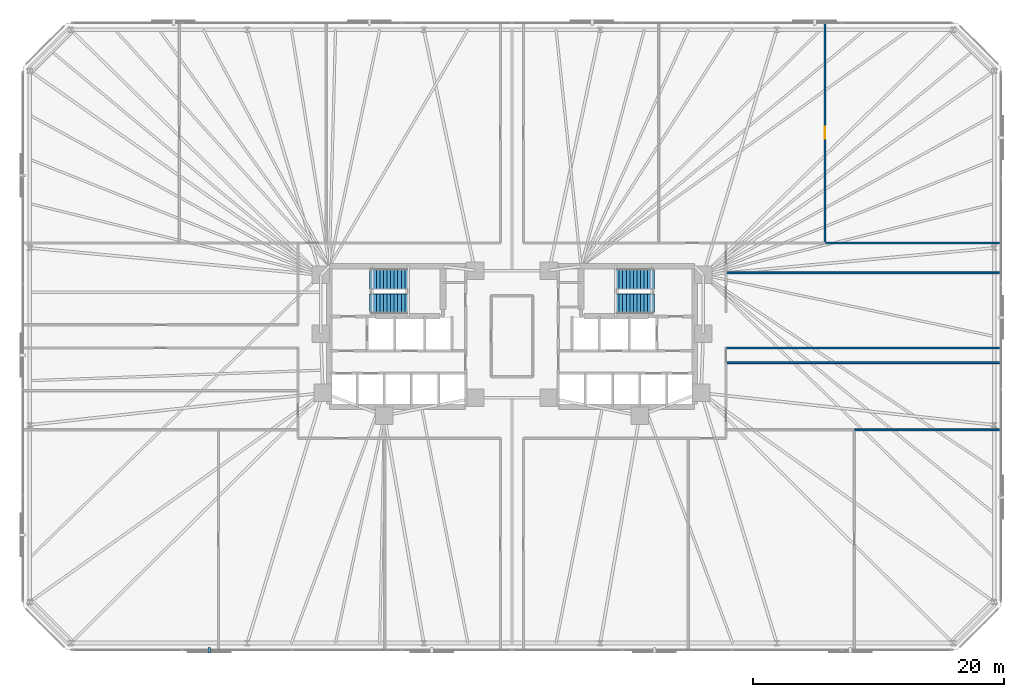
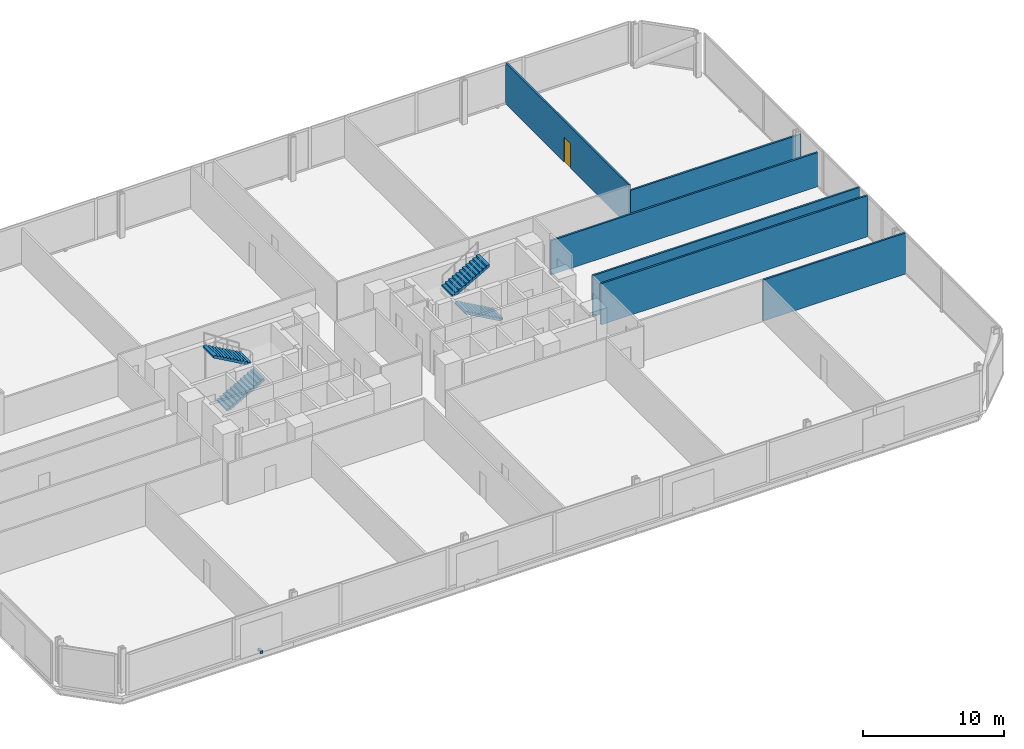
# One storey, part 15 of 17: 6 walls, 4 stair flights, 1 discrete accessory, 1 door, 1 opening, 2 elements without a shape of their own.
"""IFC4 building model written with IfcOpenShell, lengths in metres."""

from ifc_helpers import new_model, si_unit, direction, frame, frame_2d, origin, origin_2d, place, context, subcontext, project, spatial, polyline, rectangle, outline, extrude, material, layer, layer_set, type_object, element, fill, aggregate, save


model = new_model("IFC4")

# Units and contexts
model_context = context("Model", 3, precision=1e-05, world=origin(), true_north=direction((0.0, 1.0)))
body_context = subcontext(model_context, "Body", "Model", "MODEL_VIEW")
ifc_project = project(units=[si_unit("LENGTHUNIT", "METRE"), si_unit("AREAUNIT", "SQUARE_METRE"), si_unit("VOLUMEUNIT", "CUBIC_METRE"), si_unit("PLANEANGLEUNIT", "RADIAN"), si_unit("MASSUNIT", "GRAM", prefix="KILO")], contexts=[model_context])

# Site, building, storey
site_placement = place(None, origin())
site = spatial("IfcSite", under=ifc_project, at=site_placement, CompositionType="ELEMENT")
building_placement = place(site_placement, origin())
building = spatial("IfcBuilding", under=site, at=building_placement, Name="Menara Jurai Vektor", CompositionType="ELEMENT")
storey_placement = place(building_placement, frame((0.0, 0.0, 71.199951171875)))
storey = spatial("IfcBuildingStorey", under=building, at=storey_placement, Name="L17", CompositionType="ELEMENT", Elevation=71.199951171875)

# Wall
ifc_material_1 = material(Name="Gypsum Fireboard Partition", Category="gypsum")
ifc_layer_1 = layer(ifc_material_1, 0.14990234375)
ifc_layer_set_1 = layer_set([ifc_layer_1], Name="Gypsum Fireboard Partition")
wall_type_1 = type_object("IfcWallType", Name="INT-WALL-CORR-150", PredefinedType="PARTITIONING", material=ifc_layer_set_1)
wall_1_placement = place(storey_placement, frame((17.05908203125, -0.919921875, 0.0), z_axis=(0.0, 0.0, 1.0), x_axis=(1.0, 0.0, 0.0)))
element("IfcWall", 1, at=wall_1_placement, inside=storey, type_object=wall_type_1, Name="Interior Wall IW-150 L17", PredefinedType="PARTITIONING", context=body_context, shape_type="SweptSolid", body=[
    extrude(rectangle(XDim=21.94091796875, YDim=0.14990234375, at=frame_2d((10.970458984375, 0.0))), origin(), (0.0, 0.0, 1.0), 3.574951171875),
])

# Wall, opening, door
wall_2_placement = place(storey_placement, frame((24.9599609375, 7.449951171875, 0.0), z_axis=(0.0, 0.0, 1.0), x_axis=(0.0, 1.0, 0.0)))
wall_2 = element("IfcWall", 2, at=wall_2_placement, inside=storey, type_object=wall_type_1, Name="Interior Wall IW-150 L17", PredefinedType="PARTITIONING", context=body_context, shape_type="SweptSolid", body=[
    extrude(rectangle(XDim=17.550048828125, YDim=0.14990234375, at=frame_2d((8.77490234375, 0.0))), origin(), (0.0, 0.0, 1.0), 3.574951171875),
])
opening_placement = place(wall_2_placement, frame((8.300048828125, 0.0, 0.0)))
opening = element("IfcOpeningElement", 3, at=opening_placement, cuts=wall_2, Name="Opening D17-21", PredefinedType="OPENING", context=body_context, shape_type="SweptSolid", body=[
    extrude(rectangle(XDim=0.949951171875, YDim=2.14990234375, at=frame_2d((0.47509765625, 1.074951171875))), frame((0.0, 0.0849609375, 0.0), z_axis=(0.0, -1.0, 0.0), x_axis=(1.0, 0.0, 0.0)), (0.0, 0.0, 1.0), 0.169921875),
])
ifc_material_2 = material(Name="Solid Core Timber Fire Door", Category="wood")
door_type = type_object("IfcDoorType", Name="DR-ENTRY-950", OperationType="NOTDEFINED", PredefinedType="DOOR", material=ifc_material_2)
door_placement = place(opening_placement, origin())
door = element("IfcDoor", 4, at=door_placement, inside=storey, type_object=door_type, Name="Interior Door D17-21", OperationType="SINGLE_SWING_RIGHT", OverallHeight=2.14990234375, OverallWidth=0.949951171875, PredefinedType="DOOR", context=body_context, shape_type="SweptSolid", body=[
    extrude(rectangle(XDim=0.949951171875, YDim=2.14990234375, at=frame_2d((0.47509765625, 1.074951171875))), frame((0.0, 0.02490234375, 0.0), z_axis=(0.0, -1.0, 0.0), x_axis=(1.0, 0.0, 0.0)), (0.0, 0.0, 1.0), 0.050048828125),
])
fill(opening, door)

# Walls
wall_3_placement = place(storey_placement, frame((27.300048828125, -7.449951171875, 0.0), z_axis=(0.0, 0.0, 1.0), x_axis=(1.0, 0.0, 0.0)))
element("IfcWall", 5, at=wall_3_placement, inside=storey, type_object=wall_type_1, Name="Interior Wall IW-150 L17", PredefinedType="PARTITIONING", context=body_context, shape_type="SweptSolid", body=[
    extrude(rectangle(XDim=11.699951171875, YDim=0.14990234375, at=frame_2d((5.85009765625, 0.0))), origin(), (0.0, 0.0, 1.0), 3.574951171875),
])
wall_4_placement = place(storey_placement, frame((17.05908203125, -2.0859375, 0.0), z_axis=(0.0, 0.0, 1.0), x_axis=(1.0, 0.0, 0.0)))
element("IfcWall", 6, at=wall_4_placement, inside=storey, type_object=wall_type_1, Name="Interior Wall IW-150 L17", PredefinedType="PARTITIONING", context=body_context, shape_type="SweptSolid", body=[
    extrude(rectangle(XDim=21.94091796875, YDim=0.14990234375, at=frame_2d((10.970458984375, 0.0))), origin(), (0.0, 0.0, 1.0), 3.574951171875),
])
ifc_layer_2 = layer(ifc_material_1, 0.14990234375)
ifc_layer_set_2 = layer_set([ifc_layer_2], Name="Gypsum Fireboard Partition")
wall_type_2 = type_object("IfcWallType", Name="INT-WALL-CORR-150-H1", PredefinedType="PARTITIONING", material=ifc_layer_set_2)
wall_5_placement = place(storey_placement, frame((24.9599609375, 7.449951171875, 0.0), z_axis=(0.0, 0.0, 1.0), x_axis=(1.0, 0.0, 0.0)))
element("IfcWall", 7, at=wall_5_placement, inside=storey, type_object=wall_type_2, Name="Interior Wall IW-150 L17", PredefinedType="PARTITIONING", context=body_context, shape_type="SweptSolid", body=[
    extrude(rectangle(XDim=14.0400390625, YDim=0.14990234375, at=frame_2d((7.02001953125, 0.0))), origin(), (0.0, 0.0, 1.0), 3.125),
])
ifc_layer_3 = layer(ifc_material_1, 0.14990234375)
ifc_layer_set_3 = layer_set([ifc_layer_3], Name="Gypsum Fireboard Partition")
wall_type_3 = type_object("IfcWallType", Name="INT-WALL-CORR-150-H2", PredefinedType="PARTITIONING", material=ifc_layer_set_3)
wall_6_placement = place(storey_placement, frame((17.05908203125, 5.06591796875, 0.0), z_axis=(0.0, 0.0, 1.0), x_axis=(1.0, 0.0, 0.0)))
element("IfcWall", 8, at=wall_6_placement, inside=storey, type_object=wall_type_3, Name="Interior Wall IW-150 L17", PredefinedType="PARTITIONING", context=body_context, shape_type="SweptSolid", body=[
    extrude(rectangle(XDim=21.94091796875, YDim=0.14990234375, at=frame_2d((10.970458984375, 0.0))), origin(), (0.0, 0.0, 1.0), 2.97509765625),
])

# Stair, stair flights
ifc_material_3 = material(Name="Concrete C40/50", Category="concrete")
stair_type = type_object("IfcStairType", Name="STAIR-DOGLEG-1500", PredefinedType="HALF_TURN_STAIR", material=ifc_material_3)
stair_1_placement = place(storey_placement, origin())
stair_1 = element("IfcStair", 9, at=stair_1_placement, inside=storey, type_object=stair_type, Name="Protected Exit Stair ST1 L17", PredefinedType="HALF_TURN_STAIR")
stair_flight_type = type_object("IfcStairFlightType", Name="STAIR-FLIGHT-1500", PredefinedType="STRAIGHT", material=ifc_material_3)
stair_flight_1_placement = place(storey_placement, frame((-11.35009765625, 2.64990234375, 0.0), z_axis=(0.0, 0.0, 1.0), x_axis=(1.0, 0.0, 0.0)))
stair_flight_1 = element("IfcStairFlight", 10, at=stair_flight_1_placement, type_object=stair_flight_type, Name="ST1 flight 1", NumberOfRisers=12, NumberOfTreads=11, PredefinedType="STRAIGHT", RiserHeight=0.158333, TreadLength=0.28, context=body_context, shape_type="SweptSolid", body=[
    extrude(outline(polyline([(0.0, 0.0), (0.0, 0.158447265625), (0.280029296875, 0.158447265625), (0.280029296875, 0.316650390625), (0.56005859375, 0.316650390625), (0.56005859375, 0.47509765625), (0.840087890625, 0.47509765625), (0.840087890625, 0.63330078125), (1.1201171875, 0.63330078125), (1.1201171875, 0.791748046875), (1.39990234375, 0.791748046875), (1.39990234375, 0.949951171875), (1.679931640625, 0.949951171875), (1.679931640625, 1.1083984375), (1.9599609375, 1.1083984375), (1.9599609375, 1.2666015625), (2.239990234375, 1.2666015625), (2.239990234375, 1.425048828125), (2.52001953125, 1.425048828125), (2.52001953125, 1.583251953125), (2.800048828125, 1.583251953125), (2.800048828125, 1.74169921875), (3.080078125, 1.74169921875), (3.080078125, 1.89990234375), (3.080078125, 1.557861328125), (0.324951171875, 0.0), (0.0, 0.0)])), frame((0.0, 0.75, 0.0), z_axis=(0.0, -1.0, 0.0), x_axis=(1.0, 0.0, 0.0)), (0.0, 0.0, 1.0), 1.5),
])
stair_flight_2_placement = place(storey_placement, frame((-8.27001953125, 4.550048828125, 1.900146484375), z_axis=(0.0, 0.0, 1.0), x_axis=(-1.0, 0.0, 0.0)))
stair_flight_2 = element("IfcStairFlight", 11, at=stair_flight_2_placement, type_object=stair_flight_type, Name="ST1 flight 2", NumberOfRisers=12, NumberOfTreads=11, PredefinedType="STRAIGHT", RiserHeight=0.158333, TreadLength=0.28, context=body_context, shape_type="SweptSolid", body=[
    extrude(outline(polyline([(0.0, 0.0), (0.0, 0.158447265625), (0.280029296875, 0.158447265625), (0.280029296875, 0.316650390625), (0.56005859375, 0.316650390625), (0.56005859375, 0.47509765625), (0.840087890625, 0.47509765625), (0.840087890625, 0.63330078125), (1.1201171875, 0.63330078125), (1.1201171875, 0.791748046875), (1.39990234375, 0.791748046875), (1.39990234375, 0.949951171875), (1.679931640625, 0.949951171875), (1.679931640625, 1.1083984375), (1.9599609375, 1.1083984375), (1.9599609375, 1.2666015625), (2.239990234375, 1.2666015625), (2.239990234375, 1.425048828125), (2.52001953125, 1.425048828125), (2.52001953125, 1.583251953125), (2.800048828125, 1.583251953125), (2.800048828125, 1.74169921875), (3.080078125, 1.74169921875), (3.080078125, 1.89990234375), (3.080078125, 1.557861328125), (0.324951171875, 0.0), (0.0, 0.0)])), frame((0.0, 0.75, 0.0), z_axis=(0.0, -1.0, 0.0), x_axis=(1.0, 0.0, 0.0)), (0.0, 0.0, 1.0), 1.5),
])
aggregate(stair_1, [stair_flight_1, stair_flight_2])

stair_2_placement = place(storey_placement, origin())
stair_2 = element("IfcStair", 12, at=stair_2_placement, inside=storey, type_object=stair_type, Name="Protected Exit Stair ST2 L17", PredefinedType="HALF_TURN_STAIR")
stair_flight_3_placement = place(storey_placement, frame((11.35009765625, 2.64990234375, 0.0), z_axis=(0.0, 0.0, 1.0), x_axis=(-1.0, 0.0, 0.0)))
stair_flight_3 = element("IfcStairFlight", 13, at=stair_flight_3_placement, type_object=stair_flight_type, Name="ST2 flight 1", NumberOfRisers=12, NumberOfTreads=11, PredefinedType="STRAIGHT", RiserHeight=0.158333, TreadLength=0.28, context=body_context, shape_type="SweptSolid", body=[
    extrude(outline(polyline([(0.0, 0.0), (0.0, 0.158447265625), (0.280029296875, 0.158447265625), (0.280029296875, 0.316650390625), (0.56005859375, 0.316650390625), (0.56005859375, 0.47509765625), (0.840087890625, 0.47509765625), (0.840087890625, 0.63330078125), (1.1201171875, 0.63330078125), (1.1201171875, 0.791748046875), (1.39990234375, 0.791748046875), (1.39990234375, 0.949951171875), (1.679931640625, 0.949951171875), (1.679931640625, 1.1083984375), (1.9599609375, 1.1083984375), (1.9599609375, 1.2666015625), (2.239990234375, 1.2666015625), (2.239990234375, 1.425048828125), (2.52001953125, 1.425048828125), (2.52001953125, 1.583251953125), (2.800048828125, 1.583251953125), (2.800048828125, 1.74169921875), (3.080078125, 1.74169921875), (3.080078125, 1.89990234375), (3.080078125, 1.557861328125), (0.324951171875, 0.0), (0.0, 0.0)])), frame((0.0, 0.75, 0.0), z_axis=(0.0, -1.0, 0.0), x_axis=(1.0, 0.0, 0.0)), (0.0, 0.0, 1.0), 1.5),
])
stair_flight_4_placement = place(storey_placement, frame((8.27001953125, 4.550048828125, 1.900146484375), z_axis=(0.0, 0.0, 1.0), x_axis=(1.0, 0.0, 0.0)))
stair_flight_4 = element("IfcStairFlight", 14, at=stair_flight_4_placement, type_object=stair_flight_type, Name="ST2 flight 2", NumberOfRisers=12, NumberOfTreads=11, PredefinedType="STRAIGHT", RiserHeight=0.158333, TreadLength=0.28, context=body_context, shape_type="SweptSolid", body=[
    extrude(outline(polyline([(0.0, 0.0), (0.0, 0.158447265625), (0.280029296875, 0.158447265625), (0.280029296875, 0.316650390625), (0.56005859375, 0.316650390625), (0.56005859375, 0.47509765625), (0.840087890625, 0.47509765625), (0.840087890625, 0.63330078125), (1.1201171875, 0.63330078125), (1.1201171875, 0.791748046875), (1.39990234375, 0.791748046875), (1.39990234375, 0.949951171875), (1.679931640625, 0.949951171875), (1.679931640625, 1.1083984375), (1.9599609375, 1.1083984375), (1.9599609375, 1.2666015625), (2.239990234375, 1.2666015625), (2.239990234375, 1.425048828125), (2.52001953125, 1.425048828125), (2.52001953125, 1.583251953125), (2.800048828125, 1.583251953125), (2.800048828125, 1.74169921875), (3.080078125, 1.74169921875), (3.080078125, 1.89990234375), (3.080078125, 1.557861328125), (0.324951171875, 0.0), (0.0, 0.0)])), frame((0.0, 0.75, 0.0), z_axis=(0.0, -1.0, 0.0), x_axis=(1.0, 0.0, 0.0)), (0.0, 0.0, 1.0), 1.5),
])
aggregate(stair_2, [stair_flight_3, stair_flight_4])

# Discrete accessory
ifc_material_4 = material(Name="Steel S355", Category="steel")
discrete_accessory_type = type_object("IfcDiscreteAccessoryType", Name="ENV-ACC-BRACKET", PredefinedType="BRACKET", material=ifc_material_4)
discrete_accessory_placement = place(storey_placement, frame((-24.139892578125, -25.010009765625, -0.1298828125), z_axis=(0.0, 0.0, 1.0), x_axis=(1.0, 0.0, 0.0)))
element("IfcDiscreteAccessory", 15, at=discrete_accessory_placement, inside=storey, type_object=discrete_accessory_type, Name="Solar Screen Stand-Off Bracket L17-S01", PredefinedType="BRACKET", context=body_context, shape_type="SweptSolid", body=[
    extrude(rectangle(XDim=0.179931640625, YDim=0.43994140625, at=origin_2d()), origin(), (0.0, 0.0, 1.0), 0.219970703125),
])

save(model, "model.ifc")
